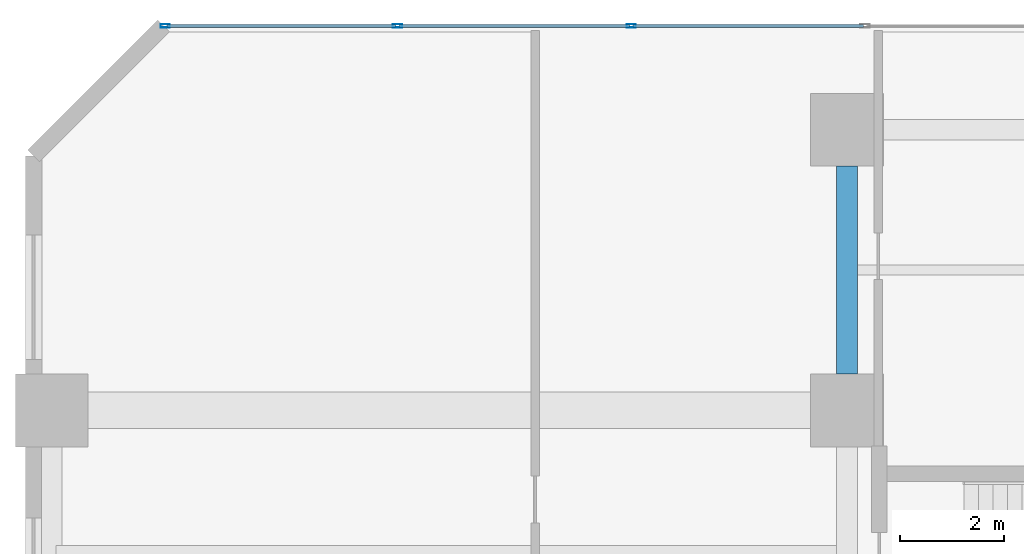
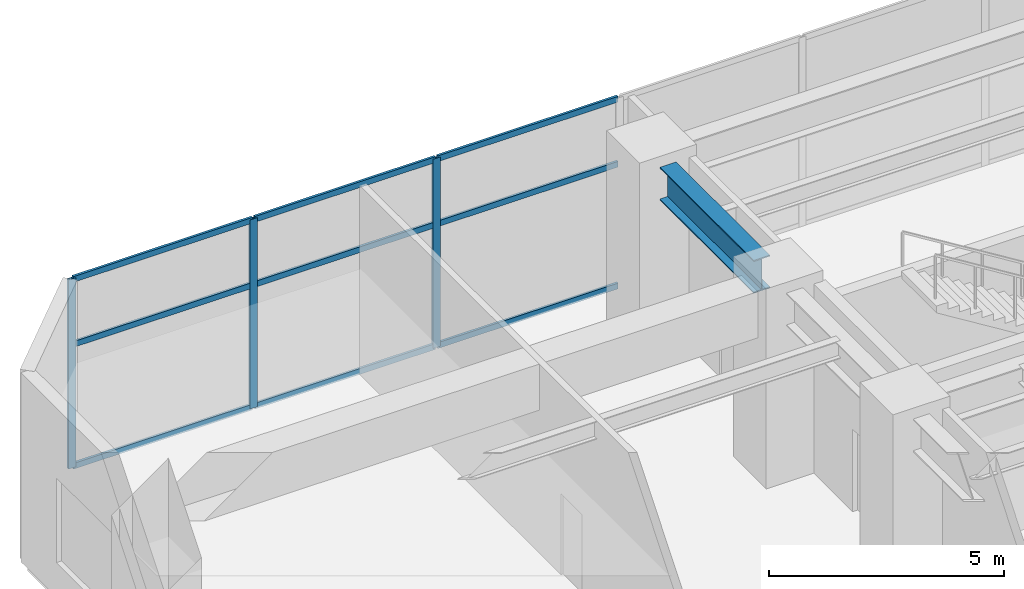
# One storey, part 6 of 22: 12 members, 1 beam, 1 element without a shape of its own.
"""IFC4 building model written with IfcOpenShell, lengths in metres."""

from ifc_helpers import new_model, si_unit, direction, frame, origin, origin_2d, place, context, subcontext, project, spatial, hollow_rectangle, i_section, extrude, material, layer, layer_set, material_profile, profile_set, type_object, element, aggregate, save


model = new_model("IFC4")

# Units and contexts
model_context = context("Model", 3, precision=1e-05, world=origin(), true_north=direction((0.0, 1.0)))
body_context = subcontext(model_context, "Body", "Model", "MODEL_VIEW")
ifc_project = project(units=[si_unit("LENGTHUNIT", "METRE"), si_unit("AREAUNIT", "SQUARE_METRE"), si_unit("VOLUMEUNIT", "CUBIC_METRE"), si_unit("PLANEANGLEUNIT", "RADIAN"), si_unit("MASSUNIT", "GRAM", prefix="KILO")], contexts=[model_context])

# Site, building, storey
site_placement = place(None, origin())
site = spatial("IfcSite", under=ifc_project, at=site_placement, CompositionType="ELEMENT")
building_placement = place(site_placement, origin())
building = spatial("IfcBuilding", under=site, at=building_placement, Name="Mawjaban Terraces University", CompositionType="ELEMENT")
storey_placement = place(building_placement, frame((0.0, 0.0, 5.199951171875)))
storey = spatial("IfcBuildingStorey", under=building, at=storey_placement, Name="L01", CompositionType="ELEMENT", Elevation=5.199951171875)

# Beam
ifc_material_1 = material(Name="Steel ASTM A572 Grade 50", Category="steel")
ifc_material_profile_1 = material_profile(ifc_material_1, i_section(OverallWidth=0.39990234375, OverallDepth=0.85498046875, WebThickness=0.018310546875, FlangeThickness=0.029296875, at=origin_2d()), Name="W840X299")
ifc_profile_set_1 = profile_set([ifc_material_profile_1], Name="Steel ASTM A572 Grade 50")
beam_type = type_object("IfcBeamType", Name="Beam_B_W840X299", PredefinedType="BEAM", material=ifc_profile_set_1)
beam_placement = place(storey_placement, frame((37.64990234375, 47.300048828125, 4.491943359375), z_axis=(0.0, 1.0, 0.0), x_axis=(-1.0, 0.0, 0.0)))
element("IfcBeam", 1, at=beam_placement, inside=storey, type_object=beam_type, Name="L01 Beam BM-L01-NS-12", PredefinedType="BEAM", context=body_context, shape_type="SweptSolid", body=[
    extrude(i_section(OverallWidth=0.39990234375, OverallDepth=0.85498046875, WebThickness=0.018310546875, FlangeThickness=0.029296875, at=origin_2d()), origin(), (0.0, 0.0, 1.0), 4.0),
])

# Curtain wall, members
ifc_material_2 = material(Name="Anodised aluminium 6063-T6 and solar-control low-E glass", Category="aluminium")
ifc_layer = layer(ifc_material_2, 0.179931640625)
ifc_layer_set = layer_set([ifc_layer], Name="Anodised aluminium 6063-T6 and solar-control low-E glass")
curtain_wall_type = type_object("IfcCurtainWallType", Name="CWSystem_01_PlazaFoyer", PredefinedType="NOTDEFINED", material=ifc_layer_set)
curtain_wall_placement = place(storey_placement, origin())
curtain_wall = element("IfcCurtainWall", 2, at=curtain_wall_placement, inside=storey, type_object=curtain_wall_type, Name="L01 Curtain Wall CW-01 Run 8.1", PredefinedType="NOTDEFINED")
ifc_material_3 = material(Name="Anodised aluminium 6063-T6", Category="aluminium")
ifc_material_profile_2 = material_profile(ifc_material_3, hollow_rectangle(XDim=0.06494140625, YDim=0.179931640625, WallThickness=0.00390625, at=origin_2d()), Name="ALU180X65X4")
ifc_profile_set_2 = profile_set([ifc_material_profile_2], Name="Anodised aluminium 6063-T6")
member_type_1 = type_object("IfcMemberType", Name="Mullion_CW-01", PredefinedType="MULLION", material=ifc_profile_set_2)
member_1_placement = place(storey_placement, frame((33.5, 54.0, 0.0), z_axis=(0.0, 0.0, 1.0), x_axis=(0.0, -1.0, 0.0)))
member_1 = element("IfcMember", 3, at=member_1_placement, type_object=member_type_1, Name="CW-01 mullion 5", PredefinedType="MULLION", context=body_context, shape_type="SweptSolid", body=[
    extrude(hollow_rectangle(XDim=0.06494140625, YDim=0.179931640625, WallThickness=0.00390625, at=origin_2d()), origin(), (0.0, 0.0, 1.0), 4.920166015625),
])
member_2_placement = place(storey_placement, frame((29.0, 54.0, 0.0), z_axis=(0.0, 0.0, 1.0), x_axis=(0.0, -1.0, 0.0)))
member_2 = element("IfcMember", 4, at=member_2_placement, type_object=member_type_1, Name="CW-01 mullion 6", PredefinedType="MULLION", context=body_context, shape_type="SweptSolid", body=[
    extrude(hollow_rectangle(XDim=0.06494140625, YDim=0.179931640625, WallThickness=0.00390625, at=origin_2d()), origin(), (0.0, 0.0, 1.0), 4.920166015625),
])
member_3_placement = place(storey_placement, frame((24.532470703125, 54.0, 0.0), z_axis=(0.0, 0.0, 1.0), x_axis=(0.0, -1.0, 0.0)))
member_3 = element("IfcMember", 5, at=member_3_placement, type_object=member_type_1, Name="CW-01 mullion 7", PredefinedType="MULLION", context=body_context, shape_type="SweptSolid", body=[
    extrude(hollow_rectangle(XDim=0.06494140625, YDim=0.179931640625, WallThickness=0.00390625, at=origin_2d()), origin(), (0.0, 0.0, 1.0), 4.920166015625),
])
ifc_material_profile_3 = material_profile(ifc_material_3, hollow_rectangle(XDim=0.06005859375, YDim=0.14990234375, WallThickness=0.00390625, at=origin_2d()), Name="ALU150X60X4")
ifc_profile_set_3 = profile_set([ifc_material_profile_3], Name="Anodised aluminium 6063-T6")
member_type_2 = type_object("IfcMemberType", Name="Transom_CW-01", PredefinedType="NOTDEFINED", material=ifc_profile_set_3)
member_4_placement = place(storey_placement, frame((37.967529296875, 54.0, 0.030029296875), z_axis=(-1.0, 0.0, 0.0), x_axis=(0.0, -1.0, 0.0)))
member_4 = element("IfcMember", 6, at=member_4_placement, type_object=member_type_2, Name="CW-01 transom 4.1", ObjectType="TRANSOM", PredefinedType="USERDEFINED", context=body_context, shape_type="SweptSolid", body=[
    extrude(hollow_rectangle(XDim=0.06005859375, YDim=0.14990234375, WallThickness=0.00390625, at=origin_2d()), origin(), (0.0, 0.0, 1.0), 4.43505859375),
])
member_5_placement = place(storey_placement, frame((37.967529296875, 54.0, 3.197998046875), z_axis=(-1.0, 0.0, 0.0), x_axis=(0.0, -1.0, 0.0)))
member_5 = element("IfcMember", 7, at=member_5_placement, type_object=member_type_2, Name="CW-01 transom 4.2", ObjectType="TRANSOM", PredefinedType="USERDEFINED", context=body_context, shape_type="SweptSolid", body=[
    extrude(hollow_rectangle(XDim=0.06005859375, YDim=0.14990234375, WallThickness=0.00390625, at=origin_2d()), origin(), (0.0, 0.0, 1.0), 4.43505859375),
])
member_6_placement = place(storey_placement, frame((37.967529296875, 54.0, 4.89013671875), z_axis=(-1.0, 0.0, 0.0), x_axis=(0.0, -1.0, 0.0)))
member_6 = element("IfcMember", 8, at=member_6_placement, type_object=member_type_2, Name="CW-01 transom 4.3", ObjectType="TRANSOM", PredefinedType="USERDEFINED", context=body_context, shape_type="SweptSolid", body=[
    extrude(hollow_rectangle(XDim=0.06005859375, YDim=0.14990234375, WallThickness=0.00390625, at=origin_2d()), origin(), (0.0, 0.0, 1.0), 4.43505859375),
])
member_7_placement = place(storey_placement, frame((33.467529296875, 54.0, 0.030029296875), z_axis=(-1.0, 0.0, 0.0), x_axis=(0.0, -1.0, 0.0)))
member_7 = element("IfcMember", 9, at=member_7_placement, type_object=member_type_2, Name="CW-01 transom 5.1", ObjectType="TRANSOM", PredefinedType="USERDEFINED", context=body_context, shape_type="SweptSolid", body=[
    extrude(hollow_rectangle(XDim=0.06005859375, YDim=0.14990234375, WallThickness=0.00390625, at=origin_2d()), origin(), (0.0, 0.0, 1.0), 4.43505859375),
])
member_8_placement = place(storey_placement, frame((33.467529296875, 54.0, 3.197998046875), z_axis=(-1.0, 0.0, 0.0), x_axis=(0.0, -1.0, 0.0)))
member_8 = element("IfcMember", 10, at=member_8_placement, type_object=member_type_2, Name="CW-01 transom 5.2", ObjectType="TRANSOM", PredefinedType="USERDEFINED", context=body_context, shape_type="SweptSolid", body=[
    extrude(hollow_rectangle(XDim=0.06005859375, YDim=0.14990234375, WallThickness=0.00390625, at=origin_2d()), origin(), (0.0, 0.0, 1.0), 4.43505859375),
])
member_9_placement = place(storey_placement, frame((33.467529296875, 54.0, 4.89013671875), z_axis=(-1.0, 0.0, 0.0), x_axis=(0.0, -1.0, 0.0)))
member_9 = element("IfcMember", 11, at=member_9_placement, type_object=member_type_2, Name="CW-01 transom 5.3", ObjectType="TRANSOM", PredefinedType="USERDEFINED", context=body_context, shape_type="SweptSolid", body=[
    extrude(hollow_rectangle(XDim=0.06005859375, YDim=0.14990234375, WallThickness=0.00390625, at=origin_2d()), origin(), (0.0, 0.0, 1.0), 4.43505859375),
])
member_10_placement = place(storey_placement, frame((28.967529296875, 54.0, 0.030029296875), z_axis=(-1.0, 0.0, 0.0), x_axis=(0.0, -1.0, 0.0)))
member_10 = element("IfcMember", 12, at=member_10_placement, type_object=member_type_2, Name="CW-01 transom 6.1", ObjectType="TRANSOM", PredefinedType="USERDEFINED", context=body_context, shape_type="SweptSolid", body=[
    extrude(hollow_rectangle(XDim=0.06005859375, YDim=0.14990234375, WallThickness=0.00390625, at=origin_2d()), origin(), (0.0, 0.0, 1.0), 4.402587890625),
])
member_11_placement = place(storey_placement, frame((28.967529296875, 54.0, 3.197998046875), z_axis=(-1.0, 0.0, 0.0), x_axis=(0.0, -1.0, 0.0)))
member_11 = element("IfcMember", 13, at=member_11_placement, type_object=member_type_2, Name="CW-01 transom 6.2", ObjectType="TRANSOM", PredefinedType="USERDEFINED", context=body_context, shape_type="SweptSolid", body=[
    extrude(hollow_rectangle(XDim=0.06005859375, YDim=0.14990234375, WallThickness=0.00390625, at=origin_2d()), origin(), (0.0, 0.0, 1.0), 4.402587890625),
])
member_12_placement = place(storey_placement, frame((28.967529296875, 54.0, 4.89013671875), z_axis=(-1.0, 0.0, 0.0), x_axis=(0.0, -1.0, 0.0)))
member_12 = element("IfcMember", 14, at=member_12_placement, type_object=member_type_2, Name="CW-01 transom 6.3", ObjectType="TRANSOM", PredefinedType="USERDEFINED", context=body_context, shape_type="SweptSolid", body=[
    extrude(hollow_rectangle(XDim=0.06005859375, YDim=0.14990234375, WallThickness=0.00390625, at=origin_2d()), origin(), (0.0, 0.0, 1.0), 4.402587890625),
])
aggregate(curtain_wall, [member_1, member_2, member_3, member_4, member_5, member_6, member_7, member_8, member_9, member_10, member_11, member_12])

save(model, "model.ifc")
